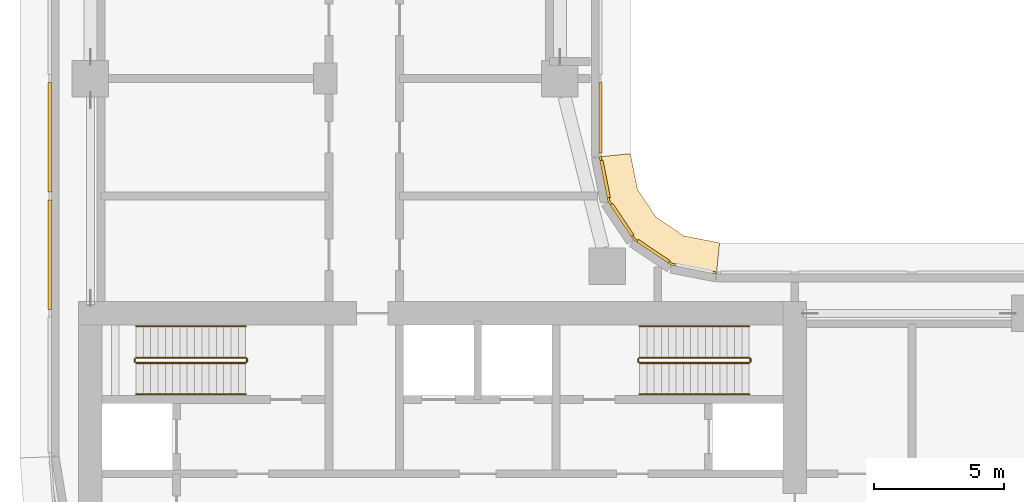
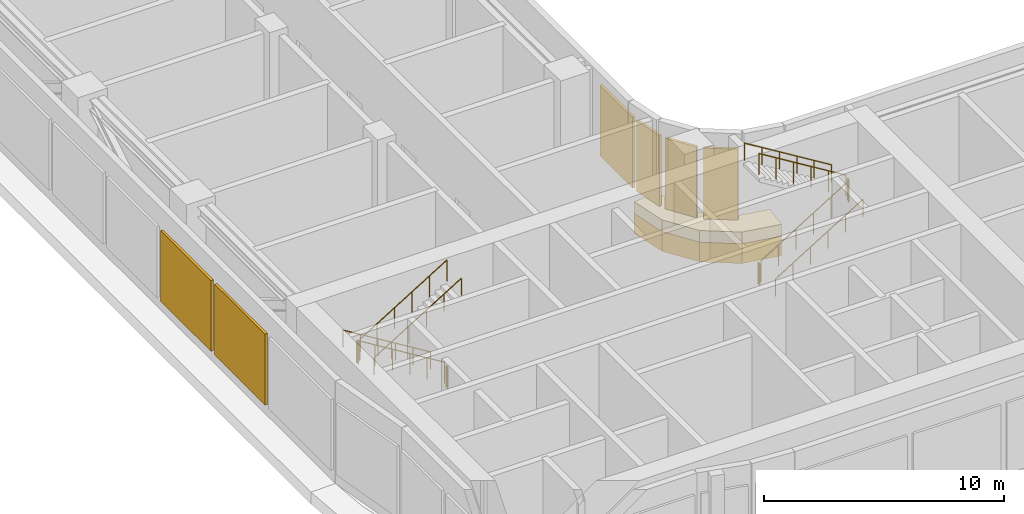
# One storey, part 16 of 23: 12 railings, 6 shading devices, 2 coverings.
"""IFC4 building model written with IfcOpenShell, lengths in metres."""

import ifcopenshell
import ifcopenshell.guid

model = None  # the IFC model being written
_history = None  # IfcOwnerHistory: only IFC2X3 demands one
_inside = {}  # id of a spatial element -> (the spatial element, [elements in it])
_under = {}  # id of a project, library or spatial element -> (it, [spatial elements below it])
_declared = {}  # id of a project -> (the project, [libraries it declares])
_typed = {}  # id of a type object -> (the type object, [elements of that type])
_made_of = {}  # id of a material, layer set ... -> (it, [elements and type objects made of it])


def new_model(schema):
    """Start an empty IFC model of exactly this schema.

    Asked for "IFC4X3", IfcOpenShell would pick the latest addendum, in which some entities
    have other attributes; the version numbers below select the first issue.
    IFC2X3 requires an IfcOwnerHistory on every rooted entity: one is made here for all.
    """
    global model, _history
    if schema == "IFC4X3":
        model = ifcopenshell.file(schema_version=(4, 3, 0, 0))
    else:
        model = ifcopenshell.file(schema=schema)
    _inside.clear()
    _under.clear()
    _declared.clear()
    _typed.clear()
    _made_of.clear()
    _history = None
    if model.schema == "IFC2X3":
        org = make("IfcOrganization", Name="unknown")
        user = make(
            "IfcPersonAndOrganization",
            ThePerson=make("IfcPerson", FamilyName="unknown"),
            TheOrganization=org,
        )
        app = make(
            "IfcApplication",
            ApplicationDeveloper=org,
            Version="unknown",
            ApplicationFullName="unknown",
            ApplicationIdentifier="unknown",
        )
        _history = make(
            "IfcOwnerHistory",
            OwningUser=user,
            OwningApplication=app,
            ChangeAction="ADDED",
            CreationDate=0,
        )
    return model


def make(cls, **values):
    """One entity of the class cls with the attributes given. An attribute that is None is left unset."""
    return model.create_entity(
        cls, **{name: value for name, value in values.items() if value is not None}
    )


def rooted(cls, **values):
    """An entity with a GlobalId (a new one), such as an element, a storey or a relation."""
    return make(cls, GlobalId=ifcopenshell.guid.new(), OwnerHistory=_history, **values)


def si_unit(unit_type, name, prefix=None):
    """IfcSIUnit, for example si_unit("LENGTHUNIT", "METRE", prefix="MILLI")."""
    return make("IfcSIUnit", UnitType=unit_type, Prefix=prefix, Name=name)


def assignment(units):
    """IfcUnitAssignment: the units of a project."""
    return None if units is None else make("IfcUnitAssignment", Units=units)


def point(xyz):
    """IfcCartesianPoint."""
    return None if xyz is None else make("IfcCartesianPoint", Coordinates=xyz)


def direction(xyz):
    """IfcDirection."""
    return None if xyz is None else make("IfcDirection", DirectionRatios=xyz)


def frame(location, z_axis=None, x_axis=None):
    """IfcAxis2Placement3D, a coordinate frame: its origin and axes. An axis left out is left unset."""
    return make(
        "IfcAxis2Placement3D",
        Location=point(location),
        Axis=direction(z_axis),
        RefDirection=direction(x_axis),
    )


def frame_2d(location, x_axis=None):
    """IfcAxis2Placement2D, a coordinate frame in the plane: its origin and x axis."""
    return make(
        "IfcAxis2Placement2D", Location=point(location), RefDirection=direction(x_axis)
    )


def origin():
    """The frame at (0, 0, 0) with its axes left unset."""
    return frame((0.0, 0.0, 0.0))


def origin_2d():
    """The frame at (0, 0) in the plane with its x axis left unset."""
    return frame_2d((0.0, 0.0))


def place(relative_to, where):
    """IfcLocalPlacement: puts the frame where relative to a parent placement (None: the world)."""
    return make(
        "IfcLocalPlacement", PlacementRelTo=relative_to, RelativePlacement=where
    )


def context(
    kind, dimensions, precision=None, world=None, true_north=None, identifier=None
):
    """IfcGeometricRepresentationContext, for example the 3D "Model" context."""
    return make(
        "IfcGeometricRepresentationContext",
        ContextIdentifier=identifier,
        ContextType=kind,
        CoordinateSpaceDimension=dimensions,
        Precision=precision,
        WorldCoordinateSystem=world,
        TrueNorth=true_north,
    )


def subcontext(parent, identifier, kind, view, scale=None):
    """IfcGeometricRepresentationSubContext, for example "Body" below "Model"."""
    return make(
        "IfcGeometricRepresentationSubContext",
        ContextIdentifier=identifier,
        ContextType=kind,
        ParentContext=parent,
        TargetScale=scale,
        TargetView=view,
    )


def project(units=None, contexts=None):
    """IfcProject with its units and contexts."""
    return rooted(
        "IfcProject",
        Name="project",
        RepresentationContexts=contexts,
        UnitsInContext=assignment(units),
    )


def spatial(cls, under=None, at=None, **own):
    """A site, building, storey or space (cls), placed at a placement, below another one or the project."""
    s = rooted(cls, ObjectPlacement=at, **own)
    if under is not None:
        _under.setdefault(under.id(), (under, []))[1].append(s)
    return s


def polyline(points):
    """IfcPolyline through the points."""
    return make("IfcPolyline", Points=[point(p) for p in points])


def profile(cls, at=None, kind="AREA", **sizes):
    """A parametric profile (cls). Its sizes go by their IFC names, for example OverallWidth=200.0."""
    return make(cls, ProfileType=kind, Position=at, **sizes)


def rectangle(**sizes):
    """IfcRectangleProfileDef."""
    return profile("IfcRectangleProfileDef", **sizes)


def circle(**sizes):
    """IfcCircleProfileDef."""
    return profile("IfcCircleProfileDef", **sizes)


def outline(outer, holes=None, kind="AREA"):
    """IfcArbitraryClosedProfileDef: a profile drawn as a closed curve; with holes, ...WithVoids."""
    if holes is None:
        return make("IfcArbitraryClosedProfileDef", ProfileType=kind, OuterCurve=outer)
    return make(
        "IfcArbitraryProfileDefWithVoids",
        ProfileType=kind,
        OuterCurve=outer,
        InnerCurves=holes,
    )


def extrude(swept, where, along, depth):
    """IfcExtrudedAreaSolid: the profile swept, set in the frame where, extruded along a direction by depth."""
    return make(
        "IfcExtrudedAreaSolid",
        SweptArea=swept,
        Position=where,
        ExtrudedDirection=direction(along),
        Depth=depth,
    )


def shape(context_of_items, identifier, shape_type, items):
    """IfcShapeRepresentation: the items that make up one representation, for example the "Body"."""
    return make(
        "IfcShapeRepresentation",
        ContextOfItems=context_of_items,
        RepresentationIdentifier=identifier,
        RepresentationType=shape_type,
        Items=items,
    )


def material(Name=None, Category=None):
    """IfcMaterial."""
    return make("IfcMaterial", Name=Name, Category=Category)


def layer(
    of_material, thickness, ventilated=None, Name=None, Category=None, Priority=None
):
    """IfcMaterialLayer: one layer of a wall or slab, of a material (None: an air gap)."""
    return make(
        "IfcMaterialLayer",
        Material=of_material,
        LayerThickness=thickness,
        IsVentilated=ventilated,
        Name=Name,
        Category=Category,
        Priority=Priority,
    )


def layer_set(layers, Name=None):
    """IfcMaterialLayerSet."""
    return make("IfcMaterialLayerSet", MaterialLayers=layers, LayerSetName=Name)


def made_of(thing, what):
    """Note that an element or type object is made of a material, layer set ...; save() writes the relation."""
    if what is not None:
        _made_of.setdefault(what.id(), (what, []))[1].append(thing)
    return thing


def type_object(cls, material=None, **own):
    """A type object (cls), such as IfcWallType, which elements share."""
    return made_of(rooted(cls, **own), material)


def element(
    cls,
    number,
    at=None,
    inside=None,
    cuts=None,
    type_object=None,
    material=None,
    context=None,
    identifier="Body",
    shape_type=None,
    held_by="IfcProductDefinitionShape",
    body=None,
    shapes=None,
    **own,
):
    """One element of the class cls, such as IfcWall. Its Tag is "e" and its number.

    at: its placement. inside: the storey or other place that contains it. cuts: it is an
    opening in that element (IfcRelVoidsElement). A single representation is given by context,
    identifier, shape_type and body (its items); several are given by shapes. held_by: the class
    of the entity that holds the representations. save() writes the other relations.
    """
    e = rooted(cls, Tag="e%d" % number, ObjectPlacement=at, **own)
    if body is not None:
        shapes = [shape(context, identifier, shape_type, body)]
    if shapes is not None:
        e.Representation = make(held_by, Representations=shapes)
    if inside is not None:
        _inside.setdefault(inside.id(), (inside, []))[1].append(e)
    if cuts is not None:
        rooted(
            "IfcRelVoidsElement", RelatingBuildingElement=cuts, RelatedOpeningElement=e
        )
    if type_object is not None:
        _typed.setdefault(type_object.id(), (type_object, []))[1].append(e)
    return made_of(e, material)


def aggregate(whole, parts):
    """IfcRelAggregates: a whole, such as a stair, and the parts it consists of."""
    return rooted("IfcRelAggregates", RelatingObject=whole, RelatedObjects=parts)


def save(model, path):
    """Write the relations noted so far, then the file.

    IfcRelAggregates (storeys below a building ...), IfcRelContainedInSpatialStructure (elements
    in a storey), IfcRelDefinesByType, IfcRelAssociatesMaterial and IfcRelDeclares: one each for
    every whole, place, type object, material and project.
    """
    for whole, parts in _under.values():
        aggregate(whole, parts)
    for where, things in _inside.values():
        rooted(
            "IfcRelContainedInSpatialStructure",
            RelatedElements=things,
            RelatingStructure=where,
        )
    for kind, things in _typed.values():
        rooted("IfcRelDefinesByType", RelatedObjects=things, RelatingType=kind)
    for what, things in _made_of.values():
        rooted("IfcRelAssociatesMaterial", RelatedObjects=things, RelatingMaterial=what)
    for by, libraries in _declared.values():
        rooted("IfcRelDeclares", RelatingContext=by, RelatedDefinitions=libraries)
    model.write(path)


model = new_model("IFC4")

# Units and contexts
model_context = context("Model", 3, precision=1e-05, world=origin(), true_north=direction((0.0, 1.0)))
body_context = subcontext(model_context, "Body", "Model", "MODEL_VIEW")
ifc_project = project(units=[si_unit("LENGTHUNIT", "METRE"), si_unit("AREAUNIT", "SQUARE_METRE"), si_unit("VOLUMEUNIT", "CUBIC_METRE"), si_unit("PLANEANGLEUNIT", "RADIAN"), si_unit("MASSUNIT", "GRAM", prefix="KILO")], contexts=[model_context])

# Site, building, storey
site_placement = place(None, origin())
site = spatial("IfcSite", under=ifc_project, at=site_placement, CompositionType="ELEMENT")
building_placement = place(site_placement, origin())
building = spatial("IfcBuilding", under=site, at=building_placement, Name="Ogive Portal Towers", CompositionType="ELEMENT")
storey_placement = place(building_placement, frame((0.0, 0.0, 81.60009765625)))
storey = spatial("IfcBuildingStorey", under=building, at=storey_placement, Name="L19", CompositionType="ELEMENT", Elevation=81.60009765625)

# Railings
ifc_material_1 = material(Name="Stainless steel balustrade", Category="steel")
railing_type_1 = type_object("IfcRailingType", Name="INT-GUARD", PredefinedType="GUARDRAIL", material=ifc_material_1)
railing_1_placement = place(storey_placement, frame((37.449951171875, 37.800048828125, 0.171875)))
element("IfcRailing", 1, at=railing_1_placement, inside=storey, type_object=railing_type_1, Name="L19 ST-A1 stair guard 1", PredefinedType="GUARDRAIL", context=body_context, shape_type="SweptSolid", body=[
    extrude(circle(Radius=0.02392578125, at=origin_2d()), frame((0.0, 0.0, 1.076171875), z_axis=(-0.852242915053, 0.0, 0.523146264196), x_axis=(0.0, -1.0, 0.0)), (0.0, 0.0, 1.0), 4.92822265625),
    extrude(circle(Radius=0.02099609375, at=origin_2d()), origin(), (0.0, 0.0, 1.0), 1.052001953125),
    extrude(circle(Radius=0.02099609375, at=origin_2d()), frame((-0.840087890625, 0.0, 0.515625)), (0.0, 0.0, 1.0), 1.052001953125),
    extrude(circle(Radius=0.02099609375, at=origin_2d()), frame((-1.679931640625, 0.0, 1.03125)), (0.0, 0.0, 1.0), 1.052001953125),
    extrude(circle(Radius=0.02099609375, at=origin_2d()), frame((-2.52001953125, 0.0, 1.546875)), (0.0, 0.0, 1.0), 1.052001953125),
    extrude(circle(Radius=0.02099609375, at=origin_2d()), frame((-3.35986328125, 0.0, 2.0625)), (0.0, 0.0, 1.0), 1.052001953125),
    extrude(circle(Radius=0.02099609375, at=origin_2d()), frame((-4.199951171875, 0.0, 2.578125)), (0.0, 0.0, 1.0), 1.052001953125),
])
railing_2_placement = place(storey_placement, frame((33.199951171875, 37.75, 2.75)))
element("IfcRailing", 2, at=railing_2_placement, inside=storey, type_object=railing_type_1, Name="L19 ST-A1 stair guard 2", PredefinedType="GUARDRAIL", context=body_context, shape_type="SweptSolid", body=[
    extrude(circle(Radius=0.02392578125, at=origin_2d()), frame((0.0, 0.0, 1.076171875), z_axis=(0.0, -1.0, 0.0), x_axis=(1.0, 0.0, 0.0)), (0.0, 0.0, 1.0), 0.10009765625),
    extrude(circle(Radius=0.02099609375, at=origin_2d()), origin(), (0.0, 0.0, 1.0), 1.052001953125),
    extrude(circle(Radius=0.02099609375, at=origin_2d()), frame((0.0, -0.10009765625, 0.0)), (0.0, 0.0, 1.0), 1.052001953125),
])
railing_3_placement = place(storey_placement, frame((33.25, 37.60009765625, 2.921875)))
element("IfcRailing", 3, at=railing_3_placement, inside=storey, type_object=railing_type_1, Name="L19 ST-A1 stair guard 3", PredefinedType="GUARDRAIL", context=body_context, shape_type="SweptSolid", body=[
    extrude(circle(Radius=0.02392578125, at=origin_2d()), frame((0.0, 0.0, 1.076171875), z_axis=(0.852242915053, 0.0, 0.523146264196), x_axis=(0.0, 1.0, 0.0)), (0.0, 0.0, 1.0), 4.92822265625),
    extrude(circle(Radius=0.02099609375, at=origin_2d()), origin(), (0.0, 0.0, 1.0), 1.052001953125),
    extrude(circle(Radius=0.02099609375, at=origin_2d()), frame((0.840087890625, 0.0, 0.515625)), (0.0, 0.0, 1.0), 1.052001953125),
    extrude(circle(Radius=0.02099609375, at=origin_2d()), frame((1.679931640625, 0.0, 1.03125)), (0.0, 0.0, 1.0), 1.052001953125),
    extrude(circle(Radius=0.02099609375, at=origin_2d()), frame((2.52001953125, 0.0, 1.546875)), (0.0, 0.0, 1.0), 1.052001953125),
    extrude(circle(Radius=0.02099609375, at=origin_2d()), frame((3.35986328125, 0.0, 2.0625)), (0.0, 0.0, 1.0), 1.052001953125),
    extrude(circle(Radius=0.02099609375, at=origin_2d()), frame((4.199951171875, 0.0, 2.578125)), (0.0, 0.0, 1.0), 1.052001953125),
])
railing_4_placement = place(storey_placement, frame((37.5, 37.75, 0.0)))
element("IfcRailing", 4, at=railing_4_placement, inside=storey, type_object=railing_type_1, Name="L19 ST-A1 stair guard 4", PredefinedType="GUARDRAIL", context=body_context, shape_type="SweptSolid", body=[
    extrude(circle(Radius=0.02392578125, at=origin_2d()), frame((0.0, 0.0, 1.076171875), z_axis=(0.0, -1.0, 0.0), x_axis=(1.0, 0.0, 0.0)), (0.0, 0.0, 1.0), 0.10009765625),
    extrude(circle(Radius=0.02099609375, at=origin_2d()), origin(), (0.0, 0.0, 1.0), 1.052001953125),
    extrude(circle(Radius=0.02099609375, at=origin_2d()), frame((0.0, -0.10009765625, 0.0)), (0.0, 0.0, 1.0), 1.052001953125),
])
railing_5_placement = place(storey_placement, frame((52.550048828125, 37.60009765625, 0.171875)))
element("IfcRailing", 5, at=railing_5_placement, inside=storey, type_object=railing_type_1, Name="L19 ST-A2 stair guard 1", PredefinedType="GUARDRAIL", context=body_context, shape_type="SweptSolid", body=[
    extrude(circle(Radius=0.02392578125, at=origin_2d()), frame((0.0, 0.0, 1.076171875), z_axis=(0.852242915053, 0.0, 0.523146264196), x_axis=(0.0, 1.0, 0.0)), (0.0, 0.0, 1.0), 4.92822265625),
    extrude(circle(Radius=0.02099609375, at=origin_2d()), origin(), (0.0, 0.0, 1.0), 1.052001953125),
    extrude(circle(Radius=0.02099609375, at=origin_2d()), frame((0.840087890625, 0.0, 0.515625)), (0.0, 0.0, 1.0), 1.052001953125),
    extrude(circle(Radius=0.02099609375, at=origin_2d()), frame((1.679931640625, 0.0, 1.03125)), (0.0, 0.0, 1.0), 1.052001953125),
    extrude(circle(Radius=0.02099609375, at=origin_2d()), frame((2.52001953125, 0.0, 1.546875)), (0.0, 0.0, 1.0), 1.052001953125),
    extrude(circle(Radius=0.02099609375, at=origin_2d()), frame((3.35986328125, 0.0, 2.0625)), (0.0, 0.0, 1.0), 1.052001953125),
    extrude(circle(Radius=0.02099609375, at=origin_2d()), frame((4.199951171875, 0.0, 2.578125)), (0.0, 0.0, 1.0), 1.052001953125),
])
railing_6_placement = place(storey_placement, frame((56.800048828125, 37.64990234375, 2.75)))
element("IfcRailing", 6, at=railing_6_placement, inside=storey, type_object=railing_type_1, Name="L19 ST-A2 stair guard 2", PredefinedType="GUARDRAIL", context=body_context, shape_type="SweptSolid", body=[
    extrude(circle(Radius=0.02392578125, at=origin_2d()), frame((0.0, 0.0, 1.076171875), z_axis=(0.0, 1.0, 0.0), x_axis=(-1.0, 0.0, 0.0)), (0.0, 0.0, 1.0), 0.10009765625),
    extrude(circle(Radius=0.02099609375, at=origin_2d()), origin(), (0.0, 0.0, 1.0), 1.052001953125),
    extrude(circle(Radius=0.02099609375, at=origin_2d()), frame((0.0, 0.10009765625, 0.0)), (0.0, 0.0, 1.0), 1.052001953125),
])
railing_7_placement = place(storey_placement, frame((56.75, 37.800048828125, 2.921875)))
element("IfcRailing", 7, at=railing_7_placement, inside=storey, type_object=railing_type_1, Name="L19 ST-A2 stair guard 3", PredefinedType="GUARDRAIL", context=body_context, shape_type="SweptSolid", body=[
    extrude(circle(Radius=0.02392578125, at=origin_2d()), frame((0.0, 0.0, 1.076171875), z_axis=(-0.852242915053, 0.0, 0.523146264196), x_axis=(0.0, -1.0, 0.0)), (0.0, 0.0, 1.0), 4.92822265625),
    extrude(circle(Radius=0.02099609375, at=origin_2d()), origin(), (0.0, 0.0, 1.0), 1.052001953125),
    extrude(circle(Radius=0.02099609375, at=origin_2d()), frame((-0.840087890625, 0.0, 0.515625)), (0.0, 0.0, 1.0), 1.052001953125),
    extrude(circle(Radius=0.02099609375, at=origin_2d()), frame((-1.679931640625, 0.0, 1.03125)), (0.0, 0.0, 1.0), 1.052001953125),
    extrude(circle(Radius=0.02099609375, at=origin_2d()), frame((-2.52001953125, 0.0, 1.546875)), (0.0, 0.0, 1.0), 1.052001953125),
    extrude(circle(Radius=0.02099609375, at=origin_2d()), frame((-3.35986328125, 0.0, 2.0625)), (0.0, 0.0, 1.0), 1.052001953125),
    extrude(circle(Radius=0.02099609375, at=origin_2d()), frame((-4.199951171875, 0.0, 2.578125)), (0.0, 0.0, 1.0), 1.052001953125),
])
railing_8_placement = place(storey_placement, frame((52.5, 37.64990234375, 0.0)))
element("IfcRailing", 8, at=railing_8_placement, inside=storey, type_object=railing_type_1, Name="L19 ST-A2 stair guard 4", PredefinedType="GUARDRAIL", context=body_context, shape_type="SweptSolid", body=[
    extrude(circle(Radius=0.02392578125, at=origin_2d()), frame((0.0, 0.0, 1.076171875), z_axis=(0.0, 1.0, 0.0), x_axis=(-1.0, 0.0, 0.0)), (0.0, 0.0, 1.0), 0.10009765625),
    extrude(circle(Radius=0.02099609375, at=origin_2d()), origin(), (0.0, 0.0, 1.0), 1.052001953125),
    extrude(circle(Radius=0.02099609375, at=origin_2d()), frame((0.0, 0.10009765625, 0.0)), (0.0, 0.0, 1.0), 1.052001953125),
])
ifc_material_2 = material(Name="Stainless steel handrail", Category="steel")
railing_type_2 = type_object("IfcRailingType", Name="INT-HANDRAIL", PredefinedType="HANDRAIL", material=ifc_material_2)
railing_9_placement = place(storey_placement, frame((37.449951171875, 39.0, 0.171875)))
element("IfcRailing", 9, at=railing_9_placement, inside=storey, type_object=railing_type_2, Name="L19 ST-A1 stair handrail 1", PredefinedType="HANDRAIL", context=body_context, shape_type="SweptSolid", body=[
    extrude(circle(Radius=0.02392578125, at=origin_2d()), frame((0.0, 0.0, 0.8759765625), z_axis=(-0.852242915053, 0.0, 0.523146264196), x_axis=(0.0, -1.0, 0.0)), (0.0, 0.0, 1.0), 4.92822265625),
    extrude(circle(Radius=0.02099609375, at=origin_2d()), origin(), (0.0, 0.0, 1.0), 0.851806640625),
    extrude(circle(Radius=0.02099609375, at=origin_2d()), frame((-0.840087890625, 0.0, 0.515625)), (0.0, 0.0, 1.0), 0.851806640625),
    extrude(circle(Radius=0.02099609375, at=origin_2d()), frame((-1.679931640625, 0.0, 1.03125)), (0.0, 0.0, 1.0), 0.851806640625),
    extrude(circle(Radius=0.02099609375, at=origin_2d()), frame((-2.52001953125, 0.0, 1.546875)), (0.0, 0.0, 1.0), 0.851806640625),
    extrude(circle(Radius=0.02099609375, at=origin_2d()), frame((-3.35986328125, 0.0, 2.0625)), (0.0, 0.0, 1.0), 0.851806640625),
    extrude(circle(Radius=0.02099609375, at=origin_2d()), frame((-4.199951171875, 0.0, 2.578125)), (0.0, 0.0, 1.0), 0.851806640625),
])
for number, where, name in (
    (10, (33.25, 36.39990234375, 2.921875), "L19 ST-A1 stair handrail 2"),
    (11, (52.550048828125, 36.39990234375, 0.171875), "L19 ST-A2 stair handrail 1"),
):
    element("IfcRailing", number, at=place(storey_placement, frame(where)), inside=storey, type_object=railing_type_2, Name=name, PredefinedType="HANDRAIL", context=body_context, shape_type="SweptSolid", body=[
        extrude(circle(Radius=0.02392578125, at=origin_2d()), frame((0.0, 0.0, 0.8759765625), z_axis=(0.852242915053, 0.0, 0.523146264196), x_axis=(0.0, 1.0, 0.0)), (0.0, 0.0, 1.0), 4.92822265625),
        extrude(circle(Radius=0.02099609375, at=origin_2d()), origin(), (0.0, 0.0, 1.0), 0.851806640625),
        extrude(circle(Radius=0.02099609375, at=origin_2d()), frame((0.840087890625, 0.0, 0.515625)), (0.0, 0.0, 1.0), 0.851806640625),
        extrude(circle(Radius=0.02099609375, at=origin_2d()), frame((1.679931640625, 0.0, 1.03125)), (0.0, 0.0, 1.0), 0.851806640625),
        extrude(circle(Radius=0.02099609375, at=origin_2d()), frame((2.52001953125, 0.0, 1.546875)), (0.0, 0.0, 1.0), 0.851806640625),
        extrude(circle(Radius=0.02099609375, at=origin_2d()), frame((3.35986328125, 0.0, 2.0625)), (0.0, 0.0, 1.0), 0.851806640625),
        extrude(circle(Radius=0.02099609375, at=origin_2d()), frame((4.199951171875, 0.0, 2.578125)), (0.0, 0.0, 1.0), 0.851806640625),
    ])
railing_10_placement = place(storey_placement, frame((56.75, 39.0, 2.921875)))
element("IfcRailing", 12, at=railing_10_placement, inside=storey, type_object=railing_type_2, Name="L19 ST-A2 stair handrail 2", PredefinedType="HANDRAIL", context=body_context, shape_type="SweptSolid", body=[
    extrude(circle(Radius=0.02392578125, at=origin_2d()), frame((0.0, 0.0, 0.8759765625), z_axis=(-0.852242915053, 0.0, 0.523146264196), x_axis=(0.0, -1.0, 0.0)), (0.0, 0.0, 1.0), 4.92822265625),
    extrude(circle(Radius=0.02099609375, at=origin_2d()), origin(), (0.0, 0.0, 1.0), 0.851806640625),
    extrude(circle(Radius=0.02099609375, at=origin_2d()), frame((-0.840087890625, 0.0, 0.515625)), (0.0, 0.0, 1.0), 0.851806640625),
    extrude(circle(Radius=0.02099609375, at=origin_2d()), frame((-1.679931640625, 0.0, 1.03125)), (0.0, 0.0, 1.0), 0.851806640625),
    extrude(circle(Radius=0.02099609375, at=origin_2d()), frame((-2.52001953125, 0.0, 1.546875)), (0.0, 0.0, 1.0), 0.851806640625),
    extrude(circle(Radius=0.02099609375, at=origin_2d()), frame((-3.35986328125, 0.0, 2.0625)), (0.0, 0.0, 1.0), 0.851806640625),
    extrude(circle(Radius=0.02099609375, at=origin_2d()), frame((-4.199951171875, 0.0, 2.578125)), (0.0, 0.0, 1.0), 0.851806640625),
])

# Shading devices
ifc_material_3 = material(Name="Aluminium 6063 anodised", Category="aluminium")
ifc_layer_1 = layer(ifc_material_3, 0.1201171875)
ifc_layer_set_1 = layer_set([ifc_layer_1], Name="LOUVRE BANK ALUMINIUM")
shading_device_type = type_object("IfcShadingDeviceType", Name="LOUVRE BANK ALUMINIUM", PredefinedType="USERDEFINED", material=ifc_layer_set_1)
for number, where, z_axis, x_axis, name in (
    (13, (53.081298828125, 41.880126953125, 0.599853515625), (0.0, 0.0, 1.0), (-0.831469612303, 0.55557023302, 0.0), "Louvre bank 1"),
    (14, (51.880126953125, 43.081298828125, 0.599853515625), (0.0, 0.0, 1.0), (-0.55557023302, 0.831469612303, 0.0), "Louvre bank 1"),
    (15, (51.230224609375, 44.650634765625, 0.599853515625), (0.0, 0.0, 1.0), (-0.195090322016, 0.980785280403, 0.0), "Louvre bank 1"),
):
    element("IfcShadingDevice", number, at=place(storey_placement, frame(where, z_axis=z_axis, x_axis=x_axis)), inside=storey, type_object=shading_device_type, Name=name, ObjectType="LOUVRE", PredefinedType="USERDEFINED", context=body_context, shape_type="SweptSolid", body=[
        extrude(rectangle(XDim=1.455810546875, YDim=0.1201171875, at=origin_2d()), origin(), (0.0, 0.0, 1.0), 3.60009765625),
    ])
shading_device_placement = place(storey_placement, frame((51.06005859375, 47.0, 0.599853515625), z_axis=(0.0, 0.0, 1.0), x_axis=(0.0, 1.0, 0.0)))
element("IfcShadingDevice", 16, at=shading_device_placement, inside=storey, type_object=shading_device_type, Name="Louvre bank 1", ObjectType="LOUVRE", PredefinedType="USERDEFINED", context=body_context, shape_type="SweptSolid", body=[
    extrude(rectangle(XDim=2.699951171875, YDim=0.1201171875, at=origin_2d()), origin(), (0.0, 0.0, 1.0), 3.60009765625),
])
for number, where, z_axis, x_axis, name in (
    (17, (29.93994140625, 46.25, 0.599853515625), (0.0, 0.0, 1.0), (0.0, -1.0, 0.0), "Louvre bank 5"),
    (18, (29.93994140625, 41.75, 0.599853515625), (0.0, 0.0, 1.0), (0.0, -1.0, 0.0), "Louvre bank 6"),
):
    element("IfcShadingDevice", number, at=place(storey_placement, frame(where, z_axis=z_axis, x_axis=x_axis)), inside=storey, type_object=shading_device_type, Name=name, ObjectType="LOUVRE", PredefinedType="USERDEFINED", context=body_context, shape_type="SweptSolid", body=[
        extrude(rectangle(XDim=4.199951171875, YDim=0.1201171875, at=origin_2d()), origin(), (0.0, 0.0, 1.0), 3.60009765625),
    ])

# Coverings
ifc_material_4 = material(Name="Limestone cladding on lightweight block wall", Category="masonry")
ifc_layer_2 = layer(ifc_material_4, 0.080078125)
ifc_layer_set_2 = layer_set([ifc_layer_2], Name="STONE SPANDREL 80")
covering_type_1 = type_object("IfcCoveringType", Name="STONE SPANDREL 80", PredefinedType="CLADDING", material=ifc_layer_set_2)
covering_1_placement = place(storey_placement, frame((0.0, 0.0, -1.60009765625)))
element("IfcCovering", 19, at=covering_1_placement, inside=storey, type_object=covering_type_1, Name="Stone spandrel A1-F10", PredefinedType="CLADDING", context=body_context, shape_type="SweptSolid", body=[
    extrude(outline(polyline([(55.5, 41.0), (53.77783203125, 41.342529296875), (52.318115234375, 42.318115234375), (51.342529296875, 43.77783203125), (51.0, 45.5), (51.080078125, 45.5078125), (51.41796875, 43.80908203125), (52.375732421875, 42.375732421875), (53.80908203125, 41.41796875), (55.5078125, 41.080078125), (55.5, 41.0)])), origin(), (0.0, 0.0, 1.0), 1.0),
])
ifc_layer_3 = layer(ifc_material_4, 0.60009765625)
ifc_layer_set_3 = layer_set([ifc_layer_3], Name="SUNSHADE LIP 600")
covering_type_2 = type_object("IfcCoveringType", Name="SUNSHADE LIP 600", PredefinedType="CLADDING", material=ifc_layer_set_3)
covering_2_placement = place(storey_placement, frame((0.0, 0.0, -0.60009765625)))
element("IfcCovering", 20, at=covering_2_placement, inside=storey, type_object=covering_type_2, Name="Sunshade lip A1-F10", PredefinedType="CLADDING", context=body_context, shape_type="SweptSolid", body=[
    extrude(outline(polyline([(55.5, 41.0), (53.77783203125, 41.342529296875), (52.318115234375, 42.318115234375), (51.342529296875, 43.77783203125), (51.0, 45.5), (52.199951171875, 45.6181640625), (52.472900390625, 44.24609375), (53.18310546875, 43.18310546875), (54.24609375, 42.472900390625), (55.6181640625, 42.199951171875), (55.5, 41.0)])), origin(), (0.0, 0.0, 1.0), 0.60009765625),
])

save(model, "model.ifc")
